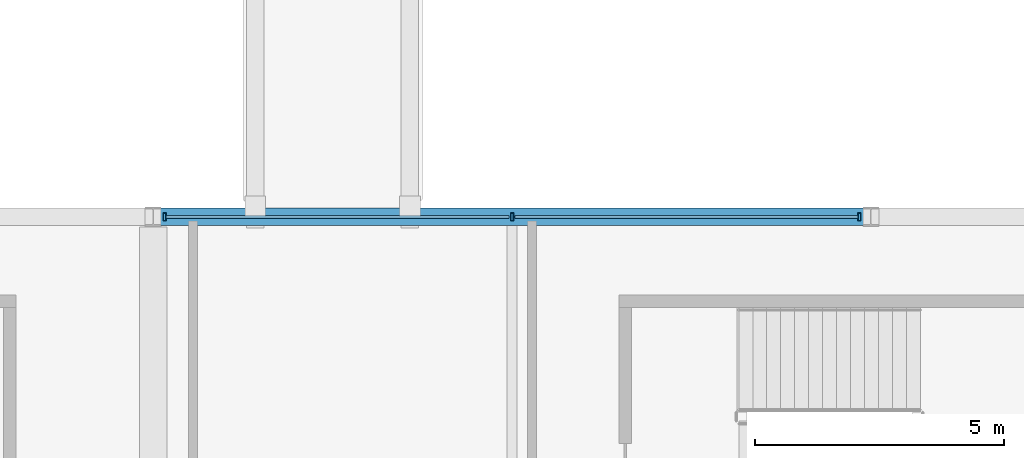
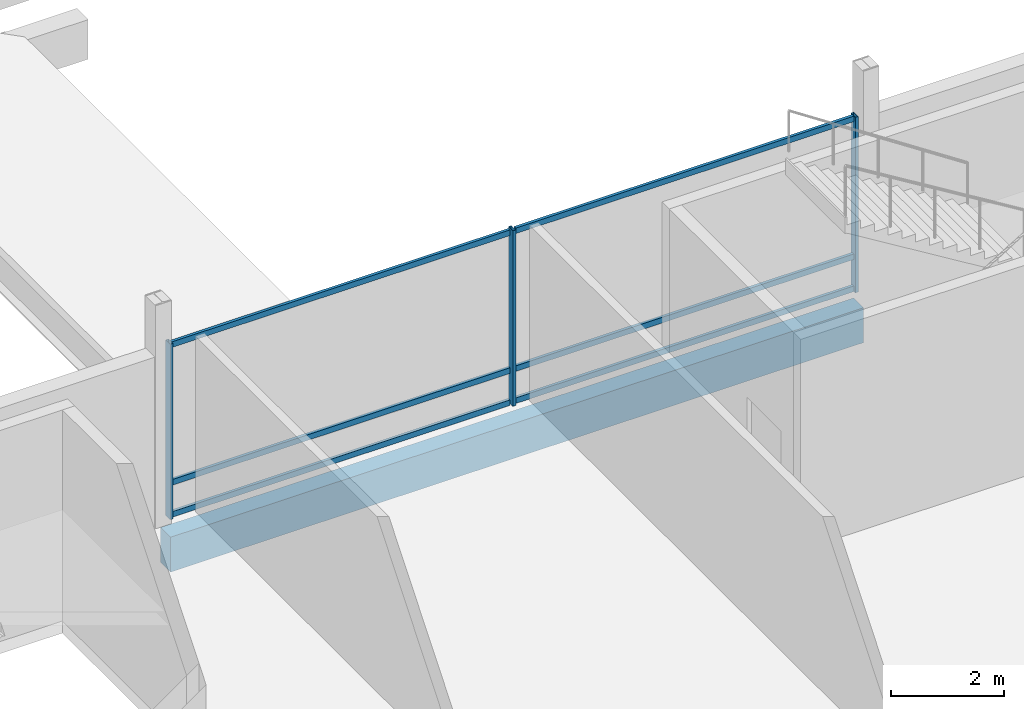
# One storey, part 23 of 193: 9 members, 1 beam, 1 element without a shape of its own.
"""IFC4 building model written with IfcOpenShell, lengths in metres."""

from ifc_helpers import new_model, si_unit, direction, frame, origin, origin_2d, place, context, subcontext, project, spatial, rectangle, hollow_rectangle, extrude, material, material_profile, profile_set, type_object, element, aggregate, save


model = new_model("IFC4")

# Units and contexts
model_context = context("Model", 3, precision=1e-05, world=origin(), true_north=direction((0.0, 1.0)))
body_context = subcontext(model_context, "Body", "Model", "MODEL_VIEW")
ifc_project = project(units=[si_unit("LENGTHUNIT", "METRE"), si_unit("AREAUNIT", "SQUARE_METRE"), si_unit("VOLUMEUNIT", "CUBIC_METRE"), si_unit("PLANEANGLEUNIT", "RADIAN"), si_unit("MASSUNIT", "GRAM", prefix="KILO")], contexts=[model_context])

# Site, building, storey
site_placement = place(None, origin())
site = spatial("IfcSite", under=ifc_project, at=site_placement, CompositionType="ELEMENT")
building_placement = place(site_placement, origin())
building = spatial("IfcBuilding", under=site, at=building_placement, Name="Cendralis Lancet Convention Centre", CompositionType="ELEMENT")
storey_placement = place(building_placement, frame((0.0, 0.0, 10.199951171875)))
storey = spatial("IfcBuildingStorey", under=building, at=storey_placement, Name="L02", CompositionType="ELEMENT", Elevation=10.199951171875)

# Curtain wall, members
ifc_material_1 = material(Name="Anodised bronze architectural aluminium", Category="aluminium")
curtain_wall_type = type_object("IfcCurtainWallType", Name="ARC-CW-CL02", PredefinedType="USERDEFINED", material=ifc_material_1)
curtain_wall_placement = place(storey_placement, origin())
curtain_wall = element("IfcCurtainWall", 1, at=curtain_wall_placement, inside=storey, type_object=curtain_wall_type, Name="L02 Curtain Wall CW-CL2 #170", ObjectType="CURTAIN WALL", PredefinedType="USERDEFINED")
ifc_material_profile_1 = material_profile(ifc_material_1, hollow_rectangle(XDim=0.06005859375, YDim=0.159912109375, WallThickness=0.00390625, at=origin_2d()), Name="AL-MULL 60x160x4.0")
ifc_profile_set_1 = profile_set([ifc_material_profile_1], Name="Anodised bronze architectural aluminium")
member_type_1 = type_object("IfcMemberType", Name="ARC-CW-ML01", PredefinedType="MULLION", material=ifc_profile_set_1)
member_1_placement = place(storey_placement, frame((14.6298828125, 36.0, 0.0), z_axis=(0.0, 0.0, 1.0), x_axis=(1.0, 0.0, 0.0)))
member_1 = element("IfcMember", 2, at=member_1_placement, type_object=member_type_1, Name="Mullion CW2-CW-CL2-L02-170-M0", PredefinedType="MULLION", context=body_context, shape_type="SweptSolid", body=[
    extrude(hollow_rectangle(XDim=0.06005859375, YDim=0.159912109375, WallThickness=0.00390625, at=origin_2d()), origin(), (0.0, 0.0, 1.0), 3.775146484375),
])
member_2_placement = place(storey_placement, frame((21.60009765625, 36.0, 0.0), z_axis=(0.0, 0.0, 1.0), x_axis=(1.0, 0.0, 0.0)))
member_2 = element("IfcMember", 3, at=member_2_placement, type_object=member_type_1, Name="Mullion CW2-CW-CL2-L02-170-M1", PredefinedType="MULLION", context=body_context, shape_type="SweptSolid", body=[
    extrude(hollow_rectangle(XDim=0.06005859375, YDim=0.159912109375, WallThickness=0.00390625, at=origin_2d()), origin(), (0.0, 0.0, 1.0), 3.775146484375),
])
member_3_placement = place(storey_placement, frame((28.570068359375, 36.0, 0.0), z_axis=(0.0, 0.0, 1.0), x_axis=(1.0, 0.0, 0.0)))
member_3 = element("IfcMember", 4, at=member_3_placement, type_object=member_type_1, Name="Mullion CW2-CW-CL2-L02-170-M2", PredefinedType="MULLION", context=body_context, shape_type="SweptSolid", body=[
    extrude(hollow_rectangle(XDim=0.06005859375, YDim=0.159912109375, WallThickness=0.00390625, at=origin_2d()), origin(), (0.0, 0.0, 1.0), 3.775146484375),
])
ifc_material_profile_2 = material_profile(ifc_material_1, hollow_rectangle(XDim=0.06005859375, YDim=0.1201171875, WallThickness=0.00390625, at=origin_2d()), Name="AL-TRAN 60x120x4.0")
ifc_profile_set_2 = profile_set([ifc_material_profile_2], Name="Anodised bronze architectural aluminium")
member_type_2 = type_object("IfcMemberType", Name="ARC-CW-TR01", PredefinedType="USERDEFINED", material=ifc_profile_set_2)
member_4_placement = place(storey_placement, frame((14.659912109375, 36.0, 0.06005859375), z_axis=(1.0, 0.0, 0.0), x_axis=(0.0, 1.0, 0.0)))
member_4 = element("IfcMember", 5, at=member_4_placement, type_object=member_type_2, Name="Transom CW2-CW-CL2-L02-170-T0BOT", ObjectType="TRANSOM", PredefinedType="USERDEFINED", context=body_context, shape_type="SweptSolid", body=[
    extrude(hollow_rectangle(XDim=0.06005859375, YDim=0.1201171875, WallThickness=0.00390625, at=origin_2d()), origin(), (0.0, 0.0, 1.0), 6.880126953125),
])
member_5_placement = place(storey_placement, frame((14.659912109375, 36.0, 0.75), z_axis=(1.0, 0.0, 0.0), x_axis=(0.0, 1.0, 0.0)))
member_5 = element("IfcMember", 6, at=member_5_placement, type_object=member_type_2, Name="Transom CW2-CW-CL2-L02-170-T0MID", ObjectType="TRANSOM", PredefinedType="USERDEFINED", context=body_context, shape_type="SweptSolid", body=[
    extrude(hollow_rectangle(XDim=0.06005859375, YDim=0.1201171875, WallThickness=0.00390625, at=origin_2d()), origin(), (0.0, 0.0, 1.0), 6.880126953125),
])
member_6_placement = place(storey_placement, frame((14.659912109375, 36.0, 3.715087890625), z_axis=(1.0, 0.0, 0.0), x_axis=(0.0, 1.0, 0.0)))
member_6 = element("IfcMember", 7, at=member_6_placement, type_object=member_type_2, Name="Transom CW2-CW-CL2-L02-170-T0TOP", ObjectType="TRANSOM", PredefinedType="USERDEFINED", context=body_context, shape_type="SweptSolid", body=[
    extrude(hollow_rectangle(XDim=0.06005859375, YDim=0.1201171875, WallThickness=0.00390625, at=origin_2d()), origin(), (0.0, 0.0, 1.0), 6.880126953125),
])
member_7_placement = place(storey_placement, frame((21.659912109375, 36.0, 0.06005859375), z_axis=(1.0, 0.0, 0.0), x_axis=(0.0, 1.0, 0.0)))
member_7 = element("IfcMember", 8, at=member_7_placement, type_object=member_type_2, Name="Transom CW2-CW-CL2-L02-170-T1BOT", ObjectType="TRANSOM", PredefinedType="USERDEFINED", context=body_context, shape_type="SweptSolid", body=[
    extrude(hollow_rectangle(XDim=0.06005859375, YDim=0.1201171875, WallThickness=0.00390625, at=origin_2d()), origin(), (0.0, 0.0, 1.0), 6.880126953125),
])
member_8_placement = place(storey_placement, frame((21.659912109375, 36.0, 0.75), z_axis=(1.0, 0.0, 0.0), x_axis=(0.0, 1.0, 0.0)))
member_8 = element("IfcMember", 9, at=member_8_placement, type_object=member_type_2, Name="Transom CW2-CW-CL2-L02-170-T1MID", ObjectType="TRANSOM", PredefinedType="USERDEFINED", context=body_context, shape_type="SweptSolid", body=[
    extrude(hollow_rectangle(XDim=0.06005859375, YDim=0.1201171875, WallThickness=0.00390625, at=origin_2d()), origin(), (0.0, 0.0, 1.0), 6.880126953125),
])
member_9_placement = place(storey_placement, frame((21.659912109375, 36.0, 3.715087890625), z_axis=(1.0, 0.0, 0.0), x_axis=(0.0, 1.0, 0.0)))
member_9 = element("IfcMember", 10, at=member_9_placement, type_object=member_type_2, Name="Transom CW2-CW-CL2-L02-170-T1TOP", ObjectType="TRANSOM", PredefinedType="USERDEFINED", context=body_context, shape_type="SweptSolid", body=[
    extrude(hollow_rectangle(XDim=0.06005859375, YDim=0.1201171875, WallThickness=0.00390625, at=origin_2d()), origin(), (0.0, 0.0, 1.0), 6.880126953125),
])
aggregate(curtain_wall, [member_1, member_2, member_3, member_4, member_5, member_6, member_7, member_8, member_9])

# Beam
ifc_material_2 = material(Name="Concrete G40 (C40/50)", Category="concrete")
ifc_material_profile_3 = material_profile(ifc_material_2, rectangle(XDim=0.35009765625, YDim=0.75, at=origin_2d()), Name="RCB 350x750")
ifc_profile_set_3 = profile_set([ifc_material_profile_3], Name="Concrete G40 (C40/50)")
beam_type = type_object("IfcBeamType", Name="STR-SP-SP01", PredefinedType="SPANDREL", material=ifc_profile_set_3)
beam_placement = place(storey_placement, frame((14.550048828125, 36.0, -0.675048828125), z_axis=(1.0, 0.0, 0.0), x_axis=(0.0, 1.0, 0.0)))
element("IfcBeam", 11, at=beam_placement, inside=storey, type_object=beam_type, Name="L02 Beam SP01 #0843", PredefinedType="SPANDREL", context=body_context, shape_type="SweptSolid", body=[
    extrude(rectangle(XDim=0.35009765625, YDim=0.75, at=origin_2d()), origin(), (0.0, 0.0, 1.0), 14.099853515625),
])

save(model, "model.ifc")
